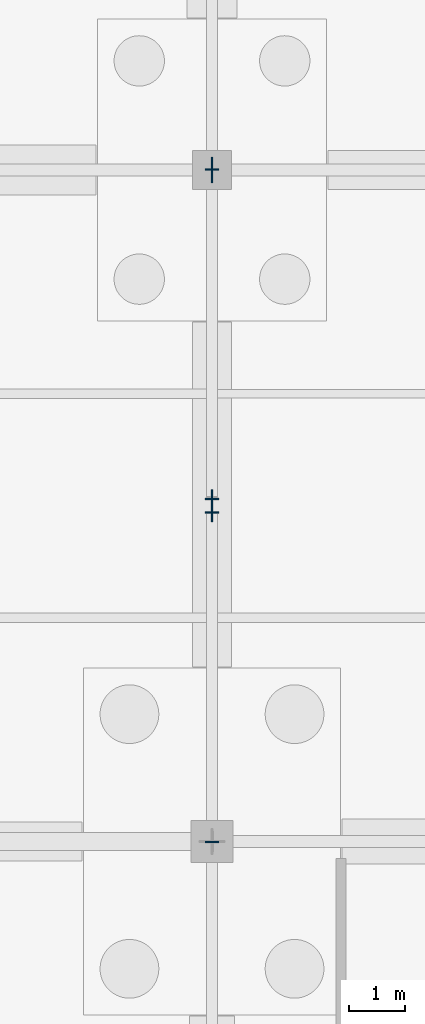
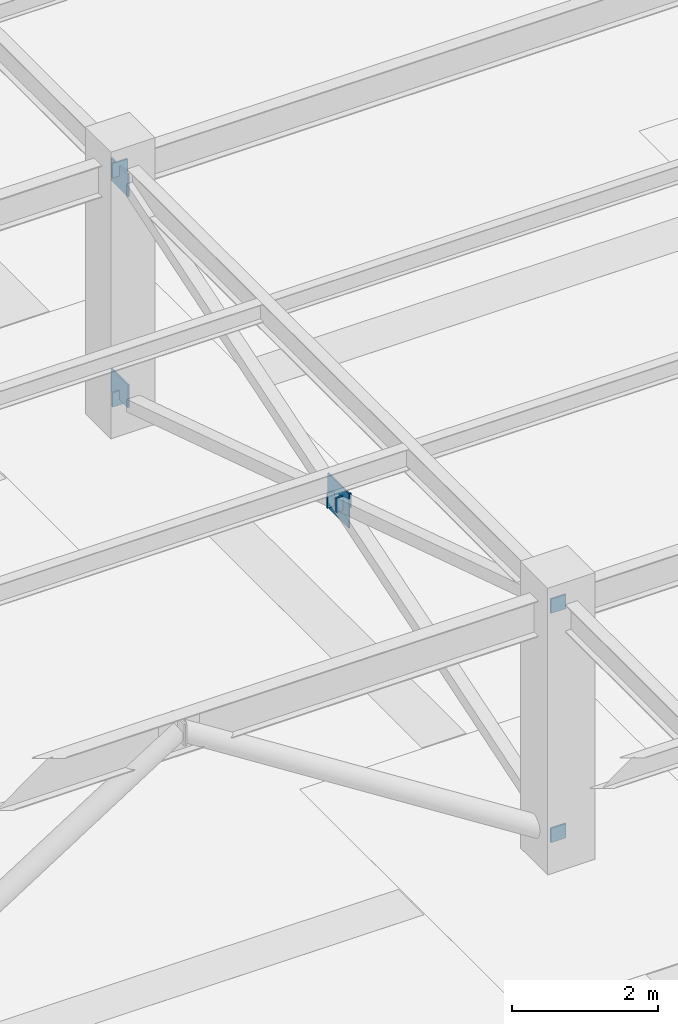
# One storey, part 92 of 136: 9 plates.
"""IFC4 building model written with IfcOpenShell, lengths in metres."""

from ifc_helpers import new_model, si_unit, direction, frame, origin, origin_2d, place, context, subcontext, project, spatial, rectangle, extrude, material, layer, layer_set, type_object, element, save


model = new_model("IFC4")

# Units and contexts
model_context = context("Model", 3, precision=1e-05, world=origin(), true_north=direction((0.0, 1.0)))
body_context = subcontext(model_context, "Body", "Model", "MODEL_VIEW")
ifc_project = project(units=[si_unit("LENGTHUNIT", "METRE"), si_unit("AREAUNIT", "SQUARE_METRE"), si_unit("VOLUMEUNIT", "CUBIC_METRE"), si_unit("PLANEANGLEUNIT", "RADIAN"), si_unit("MASSUNIT", "GRAM", prefix="KILO")], contexts=[model_context])

# Site, building, storey
site_placement = place(None, origin())
site = spatial("IfcSite", under=ifc_project, at=site_placement, CompositionType="ELEMENT")
building_placement = place(site_placement, origin())
building = spatial("IfcBuilding", under=site, at=building_placement, Name="Tarnwether General Hospital", CompositionType="ELEMENT")
storey_placement = place(building_placement, frame((0.0, 0.0, -4.800048828125)))
storey = spatial("IfcBuildingStorey", under=building, at=storey_placement, Name="LG", CompositionType="ELEMENT", Elevation=-4.800048828125)

# Plates
ifc_material_1 = material(Name="Steel Grade 350 (350 MPa)", Category="steel")
ifc_layer_1 = layer(ifc_material_1, 0.02001953125)
ifc_layer_set_1 = layer_set([ifc_layer_1], Name="Steel Grade 350 (350 MPa)")
plate_type_1 = type_object("IfcPlateType", Name="PT-GUS1", PredefinedType="USERDEFINED", material=ifc_layer_set_1)
plate_placement = place(storey_placement, frame((12.0, 51.60009765625, 1.985107421875), z_axis=(0.0, 0.0, 1.0), x_axis=(0.0, 1.0, 0.0)))
element("IfcPlate", 1, at=plate_placement, inside=storey, type_object=plate_type_1, Name="X-Brace Central Crossing Gusset Plate 036", ObjectType="GUSSET", PredefinedType="USERDEFINED", context=body_context, shape_type="SweptSolid", body=[
    extrude(rectangle(XDim=0.580078125, YDim=0.02001953125, at=origin_2d()), origin(), (0.0, 0.0, 1.0), 0.580078125),
])
ifc_material_2 = material(Name="Steel Grade 350 (350 MPa)", Category="steel")
ifc_layer_2 = layer(ifc_material_2, 0.02490234375)
ifc_layer_set_2 = layer_set([ifc_layer_2], Name="Steel Grade 350 (350 MPa)")
plate_type_2 = type_object("IfcPlateType", Name="PT-GUS2", PredefinedType="USERDEFINED", material=ifc_layer_set_2)
for number, where, z_axis, x_axis, name in (
    (2, (12.0, 57.60009765625, 0.330078125), (0.0, 0.0, 1.0), (0.0, 1.0, 0.0), "X-Brace Corner Gusset Plate 037"),
    (3, (12.0, 57.60009765625, 3.860107421875), (0.0, 0.0, 1.0), (0.0, 1.0, 0.0), "X-Brace Corner Gusset Plate 039"),
):
    element("IfcPlate", number, at=place(storey_placement, frame(where, z_axis=z_axis, x_axis=x_axis)), inside=storey, type_object=plate_type_2, Name=name, ObjectType="GUSSET", PredefinedType="USERDEFINED", context=body_context, shape_type="SweptSolid", body=[
        extrude(rectangle(XDim=0.4599609375, YDim=0.02490234375, at=origin_2d()), origin(), (0.0, 0.0, 1.0), 0.3798828125),
    ])
for number, where, z_axis, x_axis, name in (
    (4, (12.0, 45.588134765625, 0.236328125), (0.0, 0.0, 1.0), (0.0, 1.0, 0.0), "Hollow Section Welded End Cap Plate 1225"),
    (5, (12.0, 57.61181640625, 4.07373046875), (0.0, 0.0, 1.0), (0.0, 1.0, 0.0), "Hollow Section Welded End Cap Plate 1226"),
    (6, (12.0, 57.61181640625, 0.236328125), (0.0, 0.0, 1.0), (0.0, -1.0, 0.0), "Hollow Section Welded End Cap Plate 1227"),
    (7, (12.0, 51.721435546875, 2.1162109375), (0.0, 0.0, 1.0), (0.0, -1.0, 0.0), "Hollow Section Welded End Cap Plate 1228"),
    (8, (12.0, 51.478515625, 2.19384765625), (0.0, 0.0, 1.0), (0.0, -1.0, 0.0), "Hollow Section Welded End Cap Plate 1229"),
    (9, (12.0, 45.588134765625, 4.07373046875), (0.0, 0.0, 1.0), (0.0, -1.0, 0.0), "Hollow Section Welded End Cap Plate 1230"),
):
    element("IfcPlate", number, at=place(storey_placement, frame(where, z_axis=z_axis, x_axis=x_axis)), inside=storey, type_object=plate_type_2, Name=name, ObjectType="GUSSET", PredefinedType="USERDEFINED", context=body_context, shape_type="SweptSolid", body=[
        extrude(rectangle(XDim=0.02490234375, YDim=0.239990234375, at=origin_2d()), origin(), (0.0, 0.0, 1.0), 0.239990234375),
    ])

save(model, "model.ifc")
